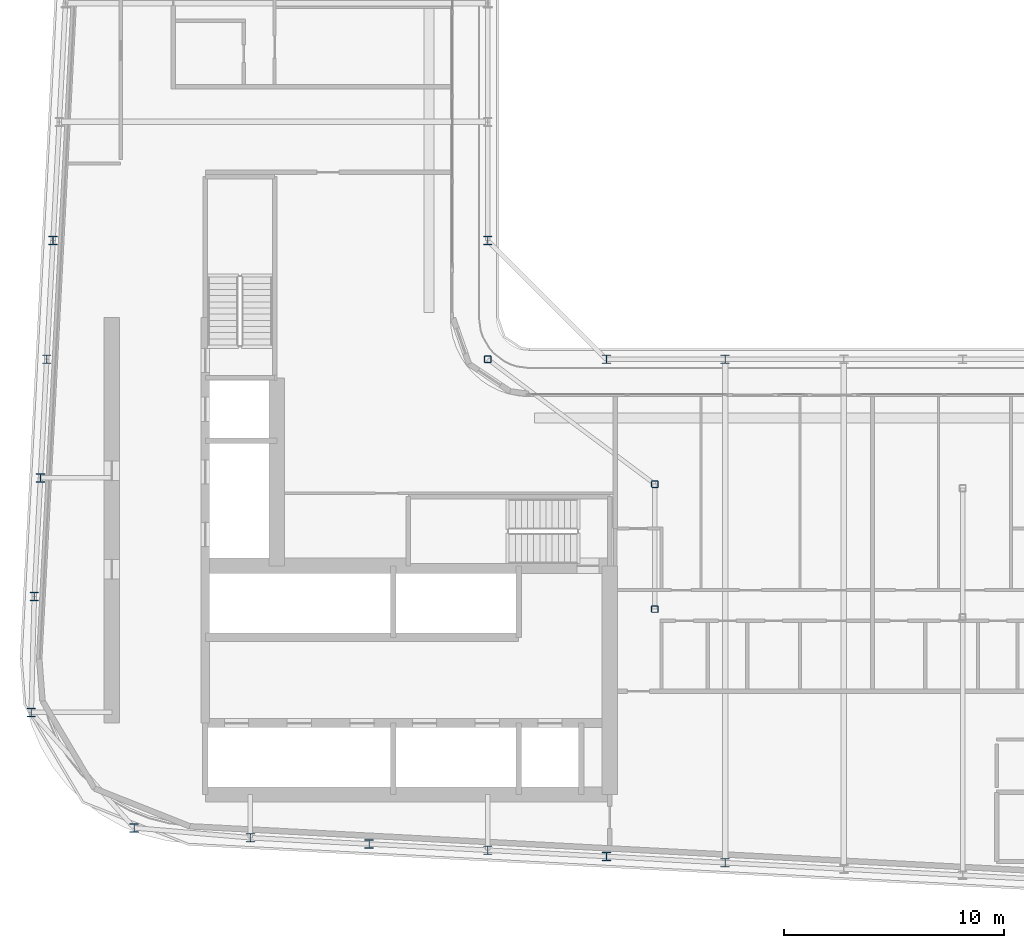
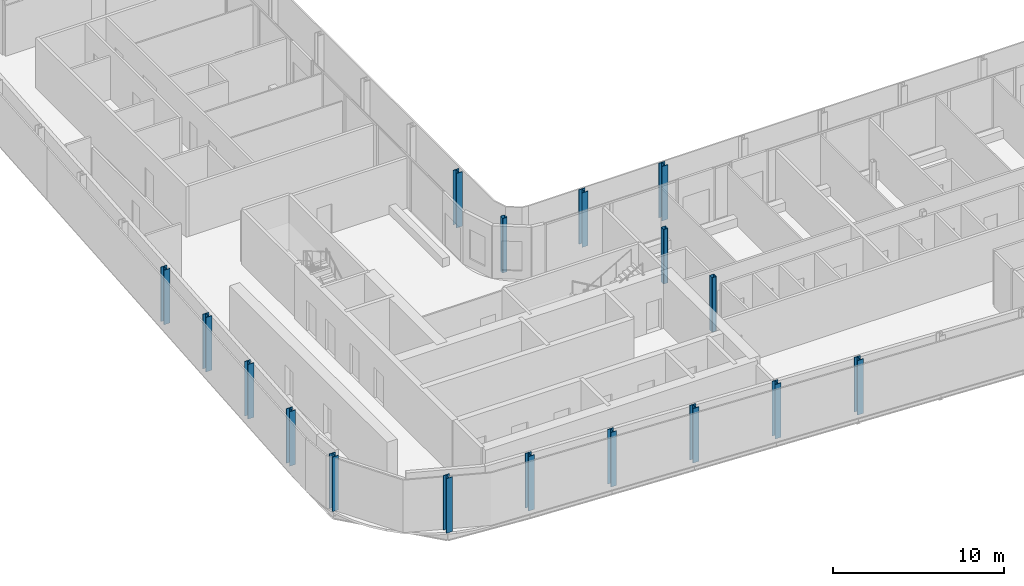
# One storey, part 1 of 22: 17 columns.
"""IFC4 building model written with IfcOpenShell, lengths in metres."""

from ifc_helpers import new_model, si_unit, direction, frame, origin, origin_2d, place, context, subcontext, project, spatial, hollow_rectangle, i_section, extrude, material, material_profile, profile_set, type_object, element, save


model = new_model("IFC4")

# Units and contexts
model_context = context("Model", 3, precision=1e-05, world=origin(), true_north=direction((0.0, 1.0)))
body_context = subcontext(model_context, "Body", "Model", "MODEL_VIEW")
ifc_project = project(units=[si_unit("LENGTHUNIT", "METRE"), si_unit("AREAUNIT", "SQUARE_METRE"), si_unit("VOLUMEUNIT", "CUBIC_METRE"), si_unit("PLANEANGLEUNIT", "RADIAN"), si_unit("MASSUNIT", "GRAM", prefix="KILO")], contexts=[model_context])

# Site, building, storey
site_placement = place(None, origin())
site = spatial("IfcSite", under=ifc_project, at=site_placement, CompositionType="ELEMENT")
building_placement = place(site_placement, origin())
building = spatial("IfcBuilding", under=site, at=building_placement, Name="Kheshtan School and Residences Tower", CompositionType="ELEMENT")
storey_placement = place(building_placement, frame((0.0, 0.0, 263.0)))
storey = spatial("IfcBuildingStorey", under=building, at=storey_placement, Name="L62", CompositionType="ELEMENT", Elevation=263.0)

# Columns
ifc_material_1 = material(Name="Steel ASTM A992 Grade 50", Category="steel")
ifc_material_profile_1 = material_profile(ifc_material_1, i_section(OverallWidth=0.404052734375, OverallDepth=0.406982421875, WebThickness=0.027099609375, FlangeThickness=0.043701171875, FilletRadius=0.01220703125, at=origin_2d()), Name="W360x347")
ifc_profile_set_1 = profile_set([ifc_material_profile_1], Name="Steel ASTM A992 Grade 50")
column_type_1 = type_object("IfcColumnType", Name="Column C4 W360x347 ASTM A992 Grade 50", PredefinedType="COLUMN", material=ifc_profile_set_1)
for number, where, z_axis, x_axis, name in (
    (1, (58.39990234375, 22.695068359375, 0.0), (0.0, 0.0, 1.0), (1.0, 0.0, 0.0), "Column C018"),
    (2, (53.0, 22.97998046875, 0.0), (0.0, 0.0, 1.0), (1.0, 0.0, 0.0), "Column C019"),
    (3, (47.60009765625, 23.263916015625, 0.0), (0.0, 0.0, 1.0), (1.0, 0.0, 0.0), "Column C020"),
    (4, (42.199951171875, 23.548095703125, 0.0), (0.0, 0.0, 1.0), (1.0, 0.0, 0.0), "Column C021"),
    (5, (36.800048828125, 23.83203125, 0.0), (0.0, 0.0, 1.0), (1.0, 0.0, 0.0), "Column C022"),
    (6, (31.510009765625, 24.282958984375, 0.0), (0.0, 0.0, 1.0), (1.0, 0.0, 0.0), "Column C030"),
    (7, (26.830078125, 29.5380859375, 0.0), (0.0, 0.0, 1.0), (1.0, 0.0, 0.0), "Column C043"),
    (8, (26.968994140625, 34.800048828125, 0.0), (0.0, 0.0, 1.0), (1.0, 0.0, 0.0), "Column C052"),
    (9, (27.2529296875, 40.199951171875, 0.0), (0.0, 0.0, 1.0), (1.0, 0.0, 0.0), "Column C056"),
    (10, (27.537109375, 45.60009765625, 0.0), (0.0, 0.0, 1.0), (1.0, 0.0, 0.0), "Column C059"),
    (11, (53.0, 45.60009765625, 0.0), (0.0, 0.0, 1.0), (1.0, 0.0, 0.0), "Column C061"),
    (12, (58.39990234375, 45.60009765625, 0.0), (0.0, 0.0, 1.0), (1.0, 0.0, 0.0), "Column C062"),
    (13, (27.822021484375, 51.0, 0.0), (0.0, 0.0, 1.0), (1.0, 0.0, 0.0), "Column C078"),
    (14, (47.60009765625, 51.0, 0.0), (0.0, 0.0, 1.0), (1.0, 0.0, 0.0), "Column C079"),
):
    element("IfcColumn", number, at=place(storey_placement, frame(where, z_axis=z_axis, x_axis=x_axis)), inside=storey, type_object=column_type_1, Name=name, PredefinedType="COLUMN", context=body_context, shape_type="SweptSolid", body=[
        extrude(i_section(OverallWidth=0.404052734375, OverallDepth=0.406982421875, WebThickness=0.027099609375, FlangeThickness=0.043701171875, FilletRadius=0.01220703125, at=origin_2d()), origin(), (0.0, 0.0, 1.0), 3.89990234375),
    ])
ifc_material_2 = material(Name="Steel ASTM A500 Grade C", Category="steel")
ifc_material_profile_2 = material_profile(ifc_material_2, hollow_rectangle(XDim=0.304931640625, YDim=0.304931640625, WallThickness=0.015869140625, InnerFilletRadius=0.015869140625, OuterFilletRadius=0.03173828125, at=origin_2d()), Name="HSS 305x305x15.9")
ifc_profile_set_2 = profile_set([ifc_material_profile_2], Name="Steel ASTM A500 Grade C")
column_type_2 = type_object("IfcColumnType", Name="Column IC2 HSS 305x305x15.9 ASTM A500 Grade C", PredefinedType="COLUMN", material=ifc_profile_set_2)
for number, where, z_axis, x_axis, name in (
    (15, (55.199951171875, 34.23193359375, 0.0), (0.0, 0.0, 1.0), (1.0, 0.0, 0.0), "Column C051"),
    (16, (55.199951171875, 39.916015625, 0.0), (0.0, 0.0, 1.0), (1.0, 0.0, 0.0), "Column C055"),
    (17, (47.60009765625, 45.60009765625, 0.0), (0.0, 0.0, 1.0), (1.0, 0.0, 0.0), "Column C060"),
):
    element("IfcColumn", number, at=place(storey_placement, frame(where, z_axis=z_axis, x_axis=x_axis)), inside=storey, type_object=column_type_2, Name=name, PredefinedType="COLUMN", context=body_context, shape_type="SweptSolid", body=[
        extrude(hollow_rectangle(XDim=0.304931640625, YDim=0.304931640625, WallThickness=0.015869140625, InnerFilletRadius=0.015869140625, OuterFilletRadius=0.03173828125, at=origin_2d()), origin(), (0.0, 0.0, 1.0), 3.89990234375),
    ])

save(model, "model.ifc")
